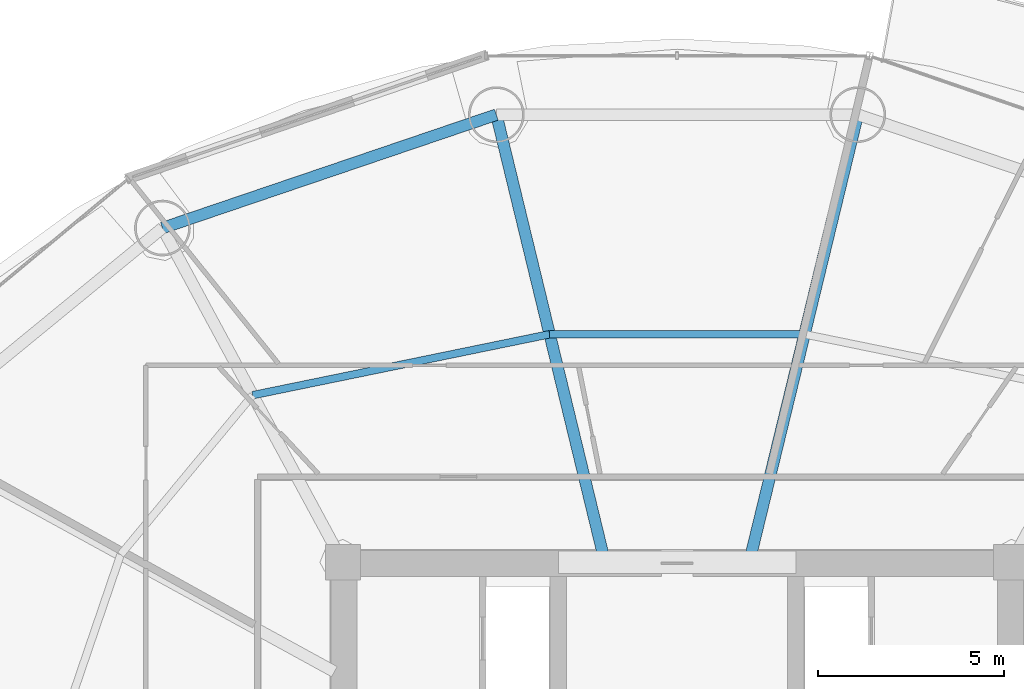
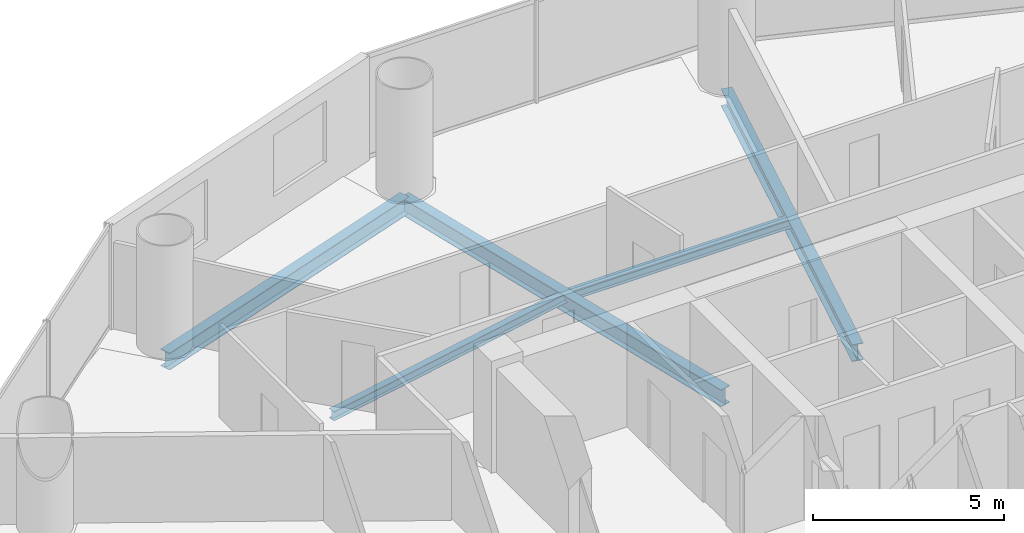
# One storey, part 17 of 29: 5 beams.
"""IFC4 building model written with IfcOpenShell, lengths in metres."""

import ifcopenshell
import ifcopenshell.guid

model = None  # the IFC model being written
_history = None  # IfcOwnerHistory: only IFC2X3 demands one
_inside = {}  # id of a spatial element -> (the spatial element, [elements in it])
_under = {}  # id of a project, library or spatial element -> (it, [spatial elements below it])
_declared = {}  # id of a project -> (the project, [libraries it declares])
_typed = {}  # id of a type object -> (the type object, [elements of that type])
_made_of = {}  # id of a material, layer set ... -> (it, [elements and type objects made of it])


def new_model(schema):
    """Start an empty IFC model of exactly this schema.

    Asked for "IFC4X3", IfcOpenShell would pick the latest addendum, in which some entities
    have other attributes; the version numbers below select the first issue.
    IFC2X3 requires an IfcOwnerHistory on every rooted entity: one is made here for all.
    """
    global model, _history
    if schema == "IFC4X3":
        model = ifcopenshell.file(schema_version=(4, 3, 0, 0))
    else:
        model = ifcopenshell.file(schema=schema)
    _inside.clear()
    _under.clear()
    _declared.clear()
    _typed.clear()
    _made_of.clear()
    _history = None
    if model.schema == "IFC2X3":
        org = make("IfcOrganization", Name="unknown")
        user = make(
            "IfcPersonAndOrganization",
            ThePerson=make("IfcPerson", FamilyName="unknown"),
            TheOrganization=org,
        )
        app = make(
            "IfcApplication",
            ApplicationDeveloper=org,
            Version="unknown",
            ApplicationFullName="unknown",
            ApplicationIdentifier="unknown",
        )
        _history = make(
            "IfcOwnerHistory",
            OwningUser=user,
            OwningApplication=app,
            ChangeAction="ADDED",
            CreationDate=0,
        )
    return model


def make(cls, **values):
    """One entity of the class cls with the attributes given. An attribute that is None is left unset."""
    return model.create_entity(
        cls, **{name: value for name, value in values.items() if value is not None}
    )


def rooted(cls, **values):
    """An entity with a GlobalId (a new one), such as an element, a storey or a relation."""
    return make(cls, GlobalId=ifcopenshell.guid.new(), OwnerHistory=_history, **values)


def si_unit(unit_type, name, prefix=None):
    """IfcSIUnit, for example si_unit("LENGTHUNIT", "METRE", prefix="MILLI")."""
    return make("IfcSIUnit", UnitType=unit_type, Prefix=prefix, Name=name)


def assignment(units):
    """IfcUnitAssignment: the units of a project."""
    return None if units is None else make("IfcUnitAssignment", Units=units)


def point(xyz):
    """IfcCartesianPoint."""
    return None if xyz is None else make("IfcCartesianPoint", Coordinates=xyz)


def direction(xyz):
    """IfcDirection."""
    return None if xyz is None else make("IfcDirection", DirectionRatios=xyz)


def frame(location, z_axis=None, x_axis=None):
    """IfcAxis2Placement3D, a coordinate frame: its origin and axes. An axis left out is left unset."""
    return make(
        "IfcAxis2Placement3D",
        Location=point(location),
        Axis=direction(z_axis),
        RefDirection=direction(x_axis),
    )


def frame_2d(location, x_axis=None):
    """IfcAxis2Placement2D, a coordinate frame in the plane: its origin and x axis."""
    return make(
        "IfcAxis2Placement2D", Location=point(location), RefDirection=direction(x_axis)
    )


def origin():
    """The frame at (0, 0, 0) with its axes left unset."""
    return frame((0.0, 0.0, 0.0))


def origin_2d():
    """The frame at (0, 0) in the plane with its x axis left unset."""
    return frame_2d((0.0, 0.0))


def place(relative_to, where):
    """IfcLocalPlacement: puts the frame where relative to a parent placement (None: the world)."""
    return make(
        "IfcLocalPlacement", PlacementRelTo=relative_to, RelativePlacement=where
    )


def context(
    kind, dimensions, precision=None, world=None, true_north=None, identifier=None
):
    """IfcGeometricRepresentationContext, for example the 3D "Model" context."""
    return make(
        "IfcGeometricRepresentationContext",
        ContextIdentifier=identifier,
        ContextType=kind,
        CoordinateSpaceDimension=dimensions,
        Precision=precision,
        WorldCoordinateSystem=world,
        TrueNorth=true_north,
    )


def subcontext(parent, identifier, kind, view, scale=None):
    """IfcGeometricRepresentationSubContext, for example "Body" below "Model"."""
    return make(
        "IfcGeometricRepresentationSubContext",
        ContextIdentifier=identifier,
        ContextType=kind,
        ParentContext=parent,
        TargetScale=scale,
        TargetView=view,
    )


def project(units=None, contexts=None):
    """IfcProject with its units and contexts."""
    return rooted(
        "IfcProject",
        Name="project",
        RepresentationContexts=contexts,
        UnitsInContext=assignment(units),
    )


def spatial(cls, under=None, at=None, **own):
    """A site, building, storey or space (cls), placed at a placement, below another one or the project."""
    s = rooted(cls, ObjectPlacement=at, **own)
    if under is not None:
        _under.setdefault(under.id(), (under, []))[1].append(s)
    return s


def profile(cls, at=None, kind="AREA", **sizes):
    """A parametric profile (cls). Its sizes go by their IFC names, for example OverallWidth=200.0."""
    return make(cls, ProfileType=kind, Position=at, **sizes)


def i_section(**sizes):
    """IfcIShapeProfileDef."""
    return profile("IfcIShapeProfileDef", **sizes)


def extrude(swept, where, along, depth):
    """IfcExtrudedAreaSolid: the profile swept, set in the frame where, extruded along a direction by depth."""
    return make(
        "IfcExtrudedAreaSolid",
        SweptArea=swept,
        Position=where,
        ExtrudedDirection=direction(along),
        Depth=depth,
    )


def shape(context_of_items, identifier, shape_type, items):
    """IfcShapeRepresentation: the items that make up one representation, for example the "Body"."""
    return make(
        "IfcShapeRepresentation",
        ContextOfItems=context_of_items,
        RepresentationIdentifier=identifier,
        RepresentationType=shape_type,
        Items=items,
    )


def material(Name=None, Category=None):
    """IfcMaterial."""
    return make("IfcMaterial", Name=Name, Category=Category)


def material_profile(
    of_material, cross_section, Name=None, Category=None, Priority=None
):
    """IfcMaterialProfile: a cross section and its material."""
    return make(
        "IfcMaterialProfile",
        Name=Name,
        Material=of_material,
        Profile=cross_section,
        Priority=Priority,
        Category=Category,
    )


def profile_set(profiles, Name=None, composite=None):
    """IfcMaterialProfileSet."""
    return make(
        "IfcMaterialProfileSet",
        Name=Name,
        MaterialProfiles=profiles,
        CompositeProfile=composite,
    )


def made_of(thing, what):
    """Note that an element or type object is made of a material, layer set ...; save() writes the relation."""
    if what is not None:
        _made_of.setdefault(what.id(), (what, []))[1].append(thing)
    return thing


def type_object(cls, material=None, **own):
    """A type object (cls), such as IfcWallType, which elements share."""
    return made_of(rooted(cls, **own), material)


def element(
    cls,
    number,
    at=None,
    inside=None,
    cuts=None,
    type_object=None,
    material=None,
    context=None,
    identifier="Body",
    shape_type=None,
    held_by="IfcProductDefinitionShape",
    body=None,
    shapes=None,
    **own,
):
    """One element of the class cls, such as IfcWall. Its Tag is "e" and its number.

    at: its placement. inside: the storey or other place that contains it. cuts: it is an
    opening in that element (IfcRelVoidsElement). A single representation is given by context,
    identifier, shape_type and body (its items); several are given by shapes. held_by: the class
    of the entity that holds the representations. save() writes the other relations.
    """
    e = rooted(cls, Tag="e%d" % number, ObjectPlacement=at, **own)
    if body is not None:
        shapes = [shape(context, identifier, shape_type, body)]
    if shapes is not None:
        e.Representation = make(held_by, Representations=shapes)
    if inside is not None:
        _inside.setdefault(inside.id(), (inside, []))[1].append(e)
    if cuts is not None:
        rooted(
            "IfcRelVoidsElement", RelatingBuildingElement=cuts, RelatedOpeningElement=e
        )
    if type_object is not None:
        _typed.setdefault(type_object.id(), (type_object, []))[1].append(e)
    return made_of(e, material)


def aggregate(whole, parts):
    """IfcRelAggregates: a whole, such as a stair, and the parts it consists of."""
    return rooted("IfcRelAggregates", RelatingObject=whole, RelatedObjects=parts)


def save(model, path):
    """Write the relations noted so far, then the file.

    IfcRelAggregates (storeys below a building ...), IfcRelContainedInSpatialStructure (elements
    in a storey), IfcRelDefinesByType, IfcRelAssociatesMaterial and IfcRelDeclares: one each for
    every whole, place, type object, material and project.
    """
    for whole, parts in _under.values():
        aggregate(whole, parts)
    for where, things in _inside.values():
        rooted(
            "IfcRelContainedInSpatialStructure",
            RelatedElements=things,
            RelatingStructure=where,
        )
    for kind, things in _typed.values():
        rooted("IfcRelDefinesByType", RelatedObjects=things, RelatingType=kind)
    for what, things in _made_of.values():
        rooted("IfcRelAssociatesMaterial", RelatedObjects=things, RelatingMaterial=what)
    for by, libraries in _declared.values():
        rooted("IfcRelDeclares", RelatingContext=by, RelatedDefinitions=libraries)
    model.write(path)


model = new_model("IFC4")

# Units and contexts
model_context = context("Model", 3, precision=1e-05, world=origin(), true_north=direction((-0.2419218956, 0.970295726276)))
body_context = subcontext(model_context, "Body", "Model", "MODEL_VIEW")
ifc_project = project(units=[si_unit("LENGTHUNIT", "METRE"), si_unit("AREAUNIT", "SQUARE_METRE"), si_unit("VOLUMEUNIT", "CUBIC_METRE"), si_unit("PLANEANGLEUNIT", "RADIAN"), si_unit("MASSUNIT", "GRAM", prefix="KILO")], contexts=[model_context])

# Site, building, storey
site_placement = place(None, origin())
site = spatial("IfcSite", under=ifc_project, at=site_placement, CompositionType="ELEMENT")
building_placement = place(site_placement, origin())
building = spatial("IfcBuilding", under=site, at=building_placement, Name="Cobrevalo Terracotta Tower", CompositionType="ELEMENT")
storey_placement = place(building_placement, frame((0.0, 0.0, 123.0)))
storey = spatial("IfcBuildingStorey", under=building, at=storey_placement, Name="L32", CompositionType="ELEMENT", Elevation=123.0)

# Beams
ifc_material = material(Name="Steel S355", Category="steel")
ifc_material_profile_1 = material_profile(ifc_material, i_section(OverallWidth=0.31201171875, OverallDepth=0.54296875, WebThickness=0.0126953125, FlangeThickness=0.020263671875, at=origin_2d()), Name="W 530x150")
ifc_profile_set_1 = profile_set([ifc_material_profile_1], Name="Steel S355")
beam_type_1 = type_object("IfcBeamType", Name="Structural Beam W 530x150 (Steel S355)", PredefinedType="BEAM", material=ifc_profile_set_1)
for number, where, z_axis, x_axis, name in (
    (1, (42.867431640625, 46.857177734375, -0.54638671875), (-0.235827379387, -0.971794961467, 0.0), (0.971794961467, -0.235827379387, 0.0), "L32 radial floor girder 04"),
    (2, (33.132568359375, 46.857177734375, -0.54638671875), (0.235827379387, -0.971794961467, 0.0), (0.971794961467, 0.235827379387, 0.0), "L32 radial floor girder 05"),
):
    element("IfcBeam", number, at=place(storey_placement, frame(where, z_axis=z_axis, x_axis=x_axis)), inside=storey, type_object=beam_type_1, Name=name, PredefinedType="BEAM", context=body_context, shape_type="SweptSolid", body=[
        extrude(i_section(OverallWidth=0.31201171875, OverallDepth=0.54296875, WebThickness=0.0126953125, FlangeThickness=0.020263671875, at=origin_2d()), origin(), (0.0, 0.0, 1.0), 12.17041015625),
    ])
ifc_material_profile_2 = material_profile(ifc_material, i_section(OverallWidth=0.2041015625, OverallDepth=0.305908203125, WebThickness=0.008544921875, FlangeThickness=0.0146484375, at=origin_2d()), Name="W 310x67")
ifc_profile_set_2 = profile_set([ifc_material_profile_2], Name="Steel S355")
beam_type_2 = type_object("IfcBeamType", Name="Structural Joist W 310x67 (Steel S355)", PredefinedType="JOIST", material=ifc_profile_set_2)
beam_1_placement = place(storey_placement, frame((41.432373046875, 40.943603515625, -0.427978515625), z_axis=(-1.0, 0.0, 0.0), x_axis=(0.0, -1.0, 0.0)))
element("IfcBeam", 3, at=beam_1_placement, inside=storey, type_object=beam_type_2, Name="L32 circumferential secondary floor joist 04", PredefinedType="JOIST", context=body_context, shape_type="SweptSolid", body=[
    extrude(i_section(OverallWidth=0.2041015625, OverallDepth=0.305908203125, WebThickness=0.008544921875, FlangeThickness=0.0146484375, at=origin_2d()), origin(), (0.0, 0.0, 1.0), 6.86474609375),
])
beam_2_placement = place(storey_placement, frame((34.567626953125, 40.943603515625, -0.427978515625), z_axis=(-0.979574469315, -0.201081722357, 0.0), x_axis=(0.201081722357, -0.979574469315, 0.0)))
element("IfcBeam", 4, at=beam_2_placement, inside=storey, type_object=beam_type_2, Name="L32 circumferential secondary floor joist 05", PredefinedType="JOIST", context=body_context, shape_type="SweptSolid", body=[
    extrude(i_section(OverallWidth=0.2041015625, OverallDepth=0.305908203125, WebThickness=0.008544921875, FlangeThickness=0.0146484375, at=origin_2d()), origin(), (0.0, 0.0, 1.0), 8.1650390625),
])
ifc_material_profile_3 = material_profile(ifc_material, i_section(OverallWidth=0.31201171875, OverallDepth=0.54296875, WebThickness=0.0126953125, FlangeThickness=0.020263671875, at=origin_2d()), Name="W 530x150")
ifc_profile_set_3 = profile_set([ifc_material_profile_3], Name="Steel S355")
beam_type_3 = type_object("IfcBeamType", Name="Structural Spandrel W 530x150 (Steel S355)", PredefinedType="SPANDREL", material=ifc_profile_set_3)
beam_3_placement = place(storey_placement, frame((33.132568359375, 46.857177734375, -0.54638671875), z_axis=(-0.946910528816, -0.32149720126, 0.0), x_axis=(0.32149720126, -0.946910528816, 0.0)))
element("IfcBeam", 5, at=beam_3_placement, inside=storey, type_object=beam_type_3, Name="L32 perimeter ring spandrel 05", PredefinedType="SPANDREL", context=body_context, shape_type="SweptSolid", body=[
    extrude(i_section(OverallWidth=0.31201171875, OverallDepth=0.54296875, WebThickness=0.0126953125, FlangeThickness=0.020263671875, at=origin_2d()), origin(), (0.0, 0.0, 1.0), 9.498291015625),
])

save(model, "model.ifc")
